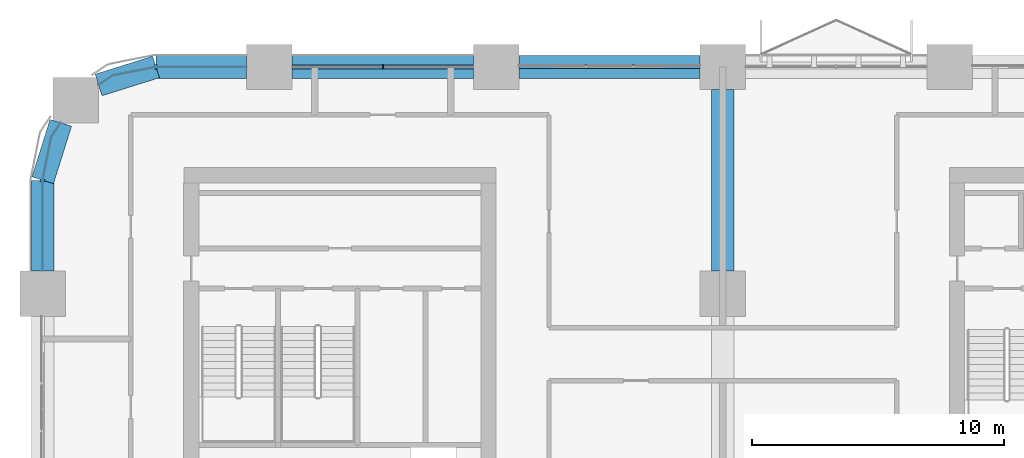
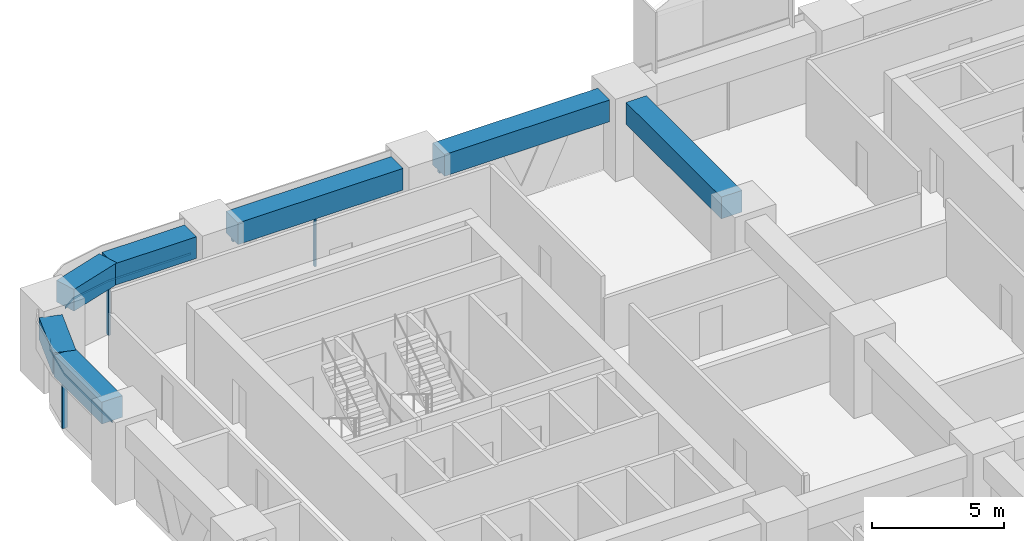
# One storey, part 7 of 22: 7 beams, 7 members, 4 elements without a shape of their own.
"""IFC4 building model written with IfcOpenShell, lengths in metres."""

from ifc_helpers import new_model, si_unit, direction, frame, origin, origin_2d, place, context, subcontext, project, spatial, polyline, rectangle, outline, extrude, material, material_profile, profile_set, type_object, element, aggregate, save


model = new_model("IFC4")

# Units and contexts
model_context = context("Model", 3, precision=1e-05, world=origin(), true_north=direction((0.0, 1.0)))
body_context = subcontext(model_context, "Body", "Model", "MODEL_VIEW")
ifc_project = project(units=[si_unit("LENGTHUNIT", "METRE"), si_unit("AREAUNIT", "SQUARE_METRE"), si_unit("VOLUMEUNIT", "CUBIC_METRE"), si_unit("PLANEANGLEUNIT", "RADIAN"), si_unit("MASSUNIT", "GRAM", prefix="KILO")], contexts=[model_context])

# Site, building, storey
site_placement = place(None, origin())
site = spatial("IfcSite", under=ifc_project, at=site_placement, CompositionType="ELEMENT")
building_placement = place(site_placement, origin())
building = spatial("IfcBuilding", under=site, at=building_placement, Name="Tessera Arch", CompositionType="ELEMENT")
storey_placement = place(building_placement, frame((0.0, 0.0, 53.800048828125)))
storey = spatial("IfcBuildingStorey", under=building, at=storey_placement, Name="L11", CompositionType="ELEMENT", Elevation=53.800048828125)

# Curtain wall, members
ifc_material_1 = material(Name="CW1 curtain wall")
curtain_wall_type_1 = type_object("IfcCurtainWallType", Name="CW1 curtain wall", PredefinedType="NOTDEFINED", material=ifc_material_1)
curtain_wall_1_placement = place(storey_placement, origin())
curtain_wall_1 = element("IfcCurtainWall", 1, at=curtain_wall_1_placement, inside=storey, type_object=curtain_wall_type_1, Name="CW1 curtain wall N54.0/4 L11", PredefinedType="NOTDEFINED")
ifc_material_2 = material(Name="Anodised aluminium pale metal", Category="aluminium")
ifc_material_profile_1 = material_profile(ifc_material_2, rectangle(XDim=0.159912109375, YDim=0.06005859375, at=origin_2d()), Name="AL 60x160")
ifc_profile_set_1 = profile_set([ifc_material_profile_1], Name="Anodised aluminium pale metal")
member_type_1 = type_object("IfcMemberType", Name="CW1 mullion", PredefinedType="MULLION", material=ifc_profile_set_1)
member_1_placement = place(storey_placement, frame((13.5, 54.0, 0.0), z_axis=(0.0, 0.0, 1.0), x_axis=(0.0, -1.0, 0.0)))
member_1 = element("IfcMember", 2, at=member_1_placement, type_object=member_type_1, Name="CW1 mullion N54.0/4 1", PredefinedType="MULLION", context=body_context, shape_type="SweptSolid", body=[
    extrude(rectangle(XDim=0.159912109375, YDim=0.06005859375, at=origin_2d()), origin(), (0.0, 0.0, 1.0), 2.39990234375),
])
ifc_material_3 = material(Name="Anodised aluminium pale metal", Category="aluminium")
ifc_material_profile_2 = material_profile(ifc_material_3, rectangle(XDim=0.159912109375, YDim=0.10009765625, at=origin_2d()), Name="AL 160x100")
ifc_profile_set_2 = profile_set([ifc_material_profile_2], Name="Anodised aluminium pale metal")
member_type_2 = type_object("IfcMemberType", Name="CW1 transom", PredefinedType="USERDEFINED", material=ifc_profile_set_2)
member_2_placement = place(storey_placement, frame((17.10009765625, 54.0, 2.449951171875), z_axis=(-1.0, 0.0, 0.0), x_axis=(0.0, -1.0, 0.0)))
member_2 = element("IfcMember", 3, at=member_2_placement, type_object=member_type_2, Name="CW1 transom N54.0/4 1.1", ObjectType="TRANSOM", PredefinedType="USERDEFINED", context=body_context, shape_type="SweptSolid", body=[
    extrude(rectangle(XDim=0.159912109375, YDim=0.10009765625, at=origin_2d()), origin(), (0.0, 0.0, 1.0), 7.2001953125),
])
aggregate(curtain_wall_1, [member_1, member_2])

# Curtain wall, member
ifc_material_4 = material(Name="CW2 curtain wall")
curtain_wall_type_2 = type_object("IfcCurtainWallType", Name="CW2 curtain wall", PredefinedType="NOTDEFINED", material=ifc_material_4)
curtain_wall_2_placement = place(storey_placement, origin())
curtain_wall_2 = element("IfcCurtainWall", 4, at=curtain_wall_2_placement, inside=storey, type_object=curtain_wall_type_2, Name="CW2 curtain wall N54.0/5 L11", PredefinedType="NOTDEFINED")
ifc_material_5 = material(Name="Anodised aluminium pale metal", Category="aluminium")
ifc_material_profile_3 = material_profile(ifc_material_5, rectangle(XDim=0.199951171875, YDim=0.080078125, at=origin_2d()), Name="AL 80x200")
ifc_profile_set_3 = profile_set([ifc_material_profile_3], Name="Anodised aluminium pale metal")
member_type_3 = type_object("IfcMemberType", Name="CW2 mullion", PredefinedType="MULLION", material=ifc_profile_set_3)
member_3_placement = place(storey_placement, frame((4.5, 54.0, 0.0), z_axis=(0.0, 0.0, 1.0), x_axis=(0.0, -1.0, 0.0)))
member_3 = element("IfcMember", 5, at=member_3_placement, type_object=member_type_3, Name="CW2 mullion N54.0/5 1", PredefinedType="MULLION", context=body_context, shape_type="SweptSolid", body=[
    extrude(rectangle(XDim=0.199951171875, YDim=0.080078125, at=origin_2d()), origin(), (0.0, 0.0, 1.0), 2.39990234375),
])

curtain_wall_3_placement = place(storey_placement, origin())
curtain_wall_3 = element("IfcCurtainWall", 6, at=curtain_wall_3_placement, inside=storey, type_object=curtain_wall_type_2, Name="CW2 curtain wall W0.0/0 L11", PredefinedType="NOTDEFINED")
member_4_placement = place(storey_placement, frame((0.0, 49.5, 0.0), z_axis=(0.0, 0.0, 1.0), x_axis=(1.0, 0.0, 0.0)))
member_4 = element("IfcMember", 7, at=member_4_placement, type_object=member_type_3, Name="CW2 mullion W0.0/0 1", PredefinedType="MULLION", context=body_context, shape_type="SweptSolid", body=[
    extrude(rectangle(XDim=0.199951171875, YDim=0.080078125, at=origin_2d()), origin(), (0.0, 0.0, 1.0), 2.39990234375),
])

# Member
ifc_material_6 = material(Name="Anodised aluminium pale metal", Category="aluminium")
ifc_material_profile_4 = material_profile(ifc_material_6, rectangle(XDim=0.199951171875, YDim=0.10009765625, at=origin_2d()), Name="AL 200x100")
ifc_profile_set_4 = profile_set([ifc_material_profile_4], Name="Anodised aluminium pale metal")
member_type_4 = type_object("IfcMemberType", Name="CW2 transom", PredefinedType="USERDEFINED", material=ifc_profile_set_4)
member_5_placement = place(storey_placement, frame((0.0, 0.0, 2.39990234375)))
member_5 = element("IfcMember", 8, at=member_5_placement, type_object=member_type_4, Name="CW2 transom N54.0/5 1", ObjectType="TRANSOM", PredefinedType="USERDEFINED", context=body_context, shape_type="SweptSolid", body=[
    extrude(outline(polyline([(4.5009765625, 53.989990234375), (8.10009765625, 53.989990234375), (8.10009765625, 54.010009765625), (4.4990234375, 54.010009765625), (2.77392578125, 53.6669921875), (2.21240234375, 53.29150390625), (2.2236328125, 53.27490234375), (2.78173828125, 53.648193359375), (4.5009765625, 53.989990234375)])), origin(), (0.0, 0.0, 1.0), 0.10009765625),
])

aggregate(curtain_wall_2, [member_3, member_5])

member_6_placement = place(storey_placement, frame((0.0, 0.0, 2.39990234375)))
member_6 = element("IfcMember", 9, at=member_6_placement, type_object=member_type_4, Name="CW2 transom W0.0/0 1", ObjectType="TRANSOM", PredefinedType="USERDEFINED", context=body_context, shape_type="SweptSolid", body=[
    extrude(outline(polyline([(0.351806640625, 51.21826171875), (0.72509765625, 51.7763671875), (0.70849609375, 51.78759765625), (0.3330078125, 51.22607421875), (-0.010009765625, 49.5009765625), (-0.010009765625, 45.89990234375), (0.010009765625, 45.89990234375), (0.010009765625, 49.4990234375), (0.351806640625, 51.21826171875)])), origin(), (0.0, 0.0, 1.0), 0.10009765625),
])

aggregate(curtain_wall_3, [member_4, member_6])

# Curtain wall, member
ifc_material_7 = material(Name="CW3 curtain wall")
curtain_wall_type_3 = type_object("IfcCurtainWallType", Name="CW3 curtain wall", PredefinedType="NOTDEFINED", material=ifc_material_7)
curtain_wall_4_placement = place(storey_placement, origin())
curtain_wall_4 = element("IfcCurtainWall", 10, at=curtain_wall_4_placement, inside=storey, type_object=curtain_wall_type_3, Name="CW3 curtain wall N54.0/3 L11", PredefinedType="NOTDEFINED")
ifc_material_8 = material(Name="Anodised aluminium pale metal", Category="aluminium")
ifc_material_profile_5 = material_profile(ifc_material_8, rectangle(XDim=0.139892578125, YDim=0.10009765625, at=origin_2d()), Name="AL 140x100")
ifc_profile_set_5 = profile_set([ifc_material_profile_5], Name="Anodised aluminium pale metal")
member_type_5 = type_object("IfcMemberType", Name="CW3 transom", PredefinedType="USERDEFINED", material=ifc_profile_set_5)
member_7_placement = place(storey_placement, frame((26.10009765625, 54.0, 2.449951171875), z_axis=(-1.0, 0.0, 0.0), x_axis=(0.0, -1.0, 0.0)))
member_7 = element("IfcMember", 11, at=member_7_placement, type_object=member_type_5, Name="CW3 transom N54.0/3 1.1", ObjectType="TRANSOM", PredefinedType="USERDEFINED", context=body_context, shape_type="SweptSolid", body=[
    extrude(rectangle(XDim=0.139892578125, YDim=0.10009765625, at=origin_2d()), origin(), (0.0, 0.0, 1.0), 7.2001953125),
])
aggregate(curtain_wall_4, [member_7])

# Beams
ifc_material_9 = material(Name="Concrete C80/95", Category="concrete")
ifc_material_profile_6 = material_profile(ifc_material_9, rectangle(XDim=0.89990234375, YDim=1.0, at=origin_2d()), Name="RC spandrel beam 900 x 1000 Concrete C80/95")
ifc_profile_set_6 = profile_set([ifc_material_profile_6], Name="Concrete C80/95")
beam_type = type_object("IfcBeamType", Name="RC spandrel beam 900 x 1000 Concrete C80/95", PredefinedType="BEAM", material=ifc_profile_set_6)
for number, where, z_axis, x_axis, name in (
    (12, (26.10009765625, 54.0, 3.0), (-1.0, 0.0, 0.0), (0.0, -1.0, 0.0), "Spandrel beam L11 N54.0/3"),
    (13, (17.10009765625, 54.0, 3.0), (-1.0, 0.0, 0.0), (0.0, -1.0, 0.0), "Spandrel beam L11 N54.0/4"),
):
    element("IfcBeam", number, at=place(storey_placement, frame(where, z_axis=z_axis, x_axis=x_axis)), inside=storey, type_object=beam_type, Name=name, PredefinedType="BEAM", context=body_context, shape_type="SweptSolid", body=[
        extrude(rectangle(XDim=0.89990234375, YDim=1.0, at=origin_2d()), origin(), (0.0, 0.0, 1.0), 7.2001953125),
    ])
beam_1_placement = place(storey_placement, frame((8.10009765625, 54.0, 3.0), z_axis=(-1.0, 0.0, 0.0), x_axis=(0.0, -1.0, 0.0)))
element("IfcBeam", 14, at=beam_1_placement, inside=storey, type_object=beam_type, Name="Spandrel beam L11 N54.0/5.1", PredefinedType="BEAM", context=body_context, shape_type="SweptSolid", body=[
    extrude(rectangle(XDim=0.89990234375, YDim=1.0, at=origin_2d()), origin(), (0.0, 0.0, 1.0), 3.60009765625),
])
for number, where, z_axis, x_axis, name in (
    (15, (4.5, 54.0, 3.0), (-0.954041251279, -0.299675309057, 0.0), (0.299675309057, -0.954041251279, 0.0), "Spandrel beam L11 N54.0/5.2"),
    (16, (0.716796875, 51.781982421875, 3.0), (-0.299675309057, -0.954041251279, 0.0), (0.954041251279, -0.299675309057, 0.0), "Spandrel beam L11 W0.0/0.1"),
):
    element("IfcBeam", number, at=place(storey_placement, frame(where, z_axis=z_axis, x_axis=x_axis)), inside=storey, type_object=beam_type, Name=name, PredefinedType="BEAM", context=body_context, shape_type="SweptSolid", body=[
        extrude(rectangle(XDim=0.89990234375, YDim=1.0, at=origin_2d()), origin(), (0.0, 0.0, 1.0), 2.391845703125),
    ])
beam_2_placement = place(storey_placement, frame((0.0, 49.5, 3.0), z_axis=(0.0, -1.0, 0.0), x_axis=(1.0, 0.0, 0.0)))
element("IfcBeam", 17, at=beam_2_placement, inside=storey, type_object=beam_type, Name="Spandrel beam L11 W0.0/0.2", PredefinedType="BEAM", context=body_context, shape_type="SweptSolid", body=[
    extrude(rectangle(XDim=0.89990234375, YDim=1.0, at=origin_2d()), origin(), (0.0, 0.0, 1.0), 3.60009765625),
])
beam_3_placement = place(storey_placement, frame((27.0, 45.89990234375, 3.0), z_axis=(0.0, 1.0, 0.0), x_axis=(-1.0, 0.0, 0.0)))
element("IfcBeam", 18, at=beam_3_placement, inside=storey, type_object=beam_type, Name="Interface beam L11 I0C4F-C4G", PredefinedType="BEAM", context=body_context, shape_type="SweptSolid", body=[
    extrude(rectangle(XDim=0.89990234375, YDim=1.0, at=origin_2d()), origin(), (0.0, 0.0, 1.0), 7.2001953125),
])

save(model, "model.ifc")
